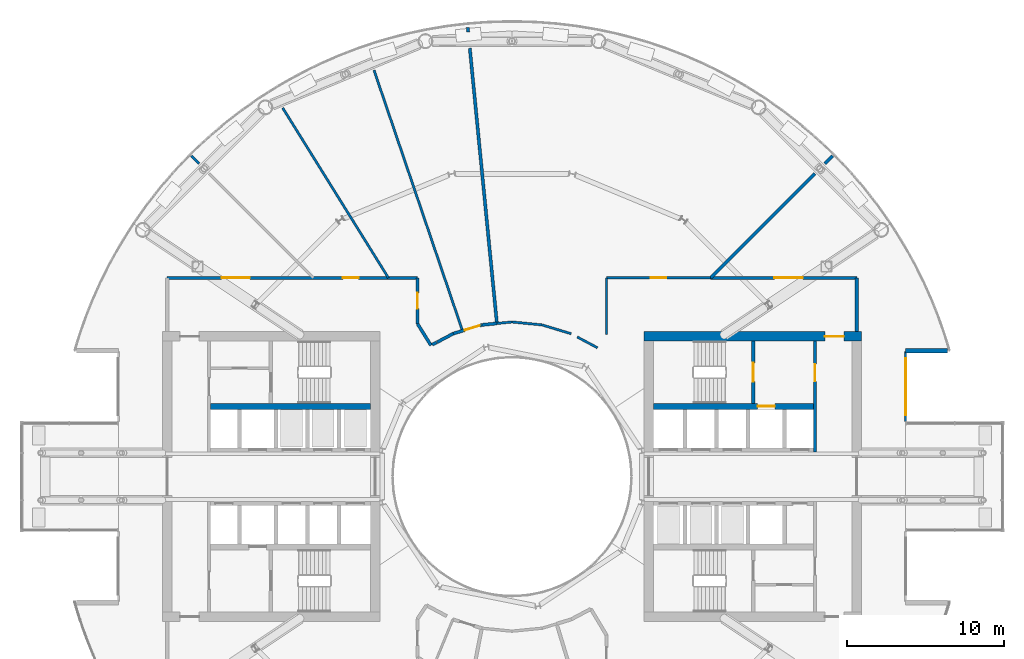
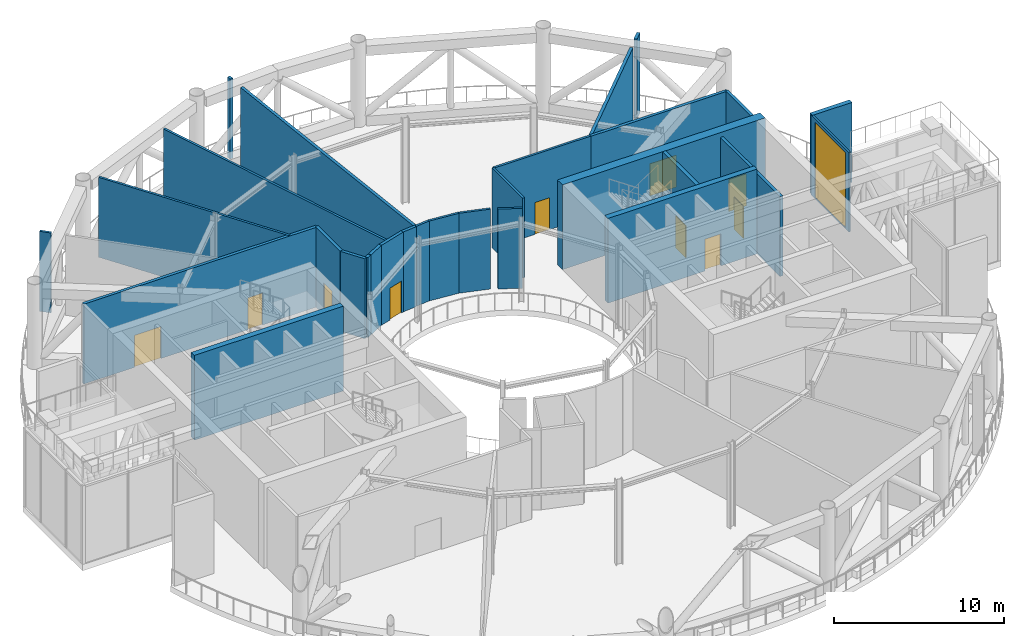
# One storey, part 15 of 25: 29 walls, 10 doors, 1 window, 11 openings.
"""IFC4 building model written with IfcOpenShell, lengths in metres."""

from ifc_helpers import new_model, si_unit, direction, frame, frame_2d, origin, place, context, subcontext, project, spatial, rectangle, extrude, material, layer, layer_set, type_object, element, fill, save


model = new_model("IFC4")

# Units and contexts
model_context = context("Model", 3, precision=1e-05, world=origin(), true_north=direction((0.0, 1.0)))
body_context = subcontext(model_context, "Body", "Model", "MODEL_VIEW")
ifc_project = project(units=[si_unit("LENGTHUNIT", "METRE"), si_unit("AREAUNIT", "SQUARE_METRE"), si_unit("VOLUMEUNIT", "CUBIC_METRE"), si_unit("PLANEANGLEUNIT", "RADIAN"), si_unit("MASSUNIT", "GRAM", prefix="KILO")], contexts=[model_context])

# Site, building, storey
site_placement = place(None, origin())
site = spatial("IfcSite", under=ifc_project, at=site_placement, CompositionType="ELEMENT")
building_placement = place(site_placement, origin())
building = spatial("IfcBuilding", under=site, at=building_placement, Name="Maasbend Ring Residences", CompositionType="ELEMENT")
storey_placement = place(building_placement, frame((0.0, 0.0, 139.10009765625)))
storey = spatial("IfcBuildingStorey", under=building, at=storey_placement, Name="L40", CompositionType="ELEMENT", Elevation=139.10009765625)

# Wall, opening, door
ifc_material_1 = material(Name="Concrete C60/75", Category="concrete")
ifc_layer_1 = layer(ifc_material_1, 0.25)
ifc_layer_set_1 = layer_set([ifc_layer_1], Name="Concrete C60/75")
wall_type_1 = type_object("IfcWallType", Name="CORE WALL 250 C60/75", PredefinedType="SHEAR", material=ifc_layer_set_1)
wall_1_placement = place(storey_placement, frame((15.324951171875, 4.64990234375, 0.0), z_axis=(0.0, 0.0, 1.0), x_axis=(0.0, 1.0, 0.0)))
wall_1 = element("IfcWall", 1, at=wall_1_placement, inside=storey, type_object=wall_type_1, Name="L40 core E wall STEN", PredefinedType="SHEAR", context=body_context, shape_type="SweptSolid", body=[
    extrude(rectangle(XDim=3.9501953125, YDim=0.25, at=frame_2d((1.97509765625, 0.0))), origin(), (0.0, 0.0, 1.0), 6.099853515625),
])
opening_1_placement = place(wall_1_placement, frame((1.375, 0.0, 0.0)))
opening_1 = element("IfcOpeningElement", 2, at=opening_1_placement, cuts=wall_1, Name="Opening D-E4012", PredefinedType="OPENING", context=body_context, shape_type="SweptSolid", body=[
    extrude(rectangle(XDim=1.199951171875, YDim=2.300048828125, at=frame_2d((0.60009765625, 1.14990234375))), frame((0.0, 0.135009765625, 0.0), z_axis=(0.0, -1.0, 0.0), x_axis=(1.0, 0.0, 0.0)), (0.0, 0.0, 1.0), 0.27001953125),
])
ifc_material_2 = material(Name="Steel, powder coated", Category="steel")
door_type_1 = type_object("IfcDoorType", Name="STAIR DOOR 1200 X 2300 FD60", OperationType="NOTDEFINED", PredefinedType="DOOR", material=ifc_material_2)
door_1_placement = place(opening_1_placement, origin())
door_1 = element("IfcDoor", 3, at=door_1_placement, inside=storey, type_object=door_type_1, Name="Stair door ST-E L40", OperationType="SINGLE_SWING_LEFT", OverallHeight=2.300048828125, OverallWidth=1.199951171875, PredefinedType="DOOR", context=body_context, shape_type="SweptSolid", body=[
    extrude(rectangle(XDim=1.199951171875, YDim=2.300048828125, at=frame_2d((0.60009765625, 1.14990234375))), frame((0.0, 0.02490234375, 0.0), z_axis=(0.0, -1.0, 0.0), x_axis=(1.0, 0.0, 0.0)), (0.0, 0.0, 1.0), 0.050048828125),
])
fill(opening_1, door_1)

ifc_material_3 = material(Name="Concrete C60/75", Category="concrete")
ifc_layer_2 = layer(ifc_material_3, 0.375)
ifc_layer_set_2 = layer_set([ifc_layer_2], Name="Concrete C60/75")
wall_type_2 = type_object("IfcWallType", Name="CORE WALL 375 C60/75", PredefinedType="SHEAR", material=ifc_layer_set_2)
wall_2_placement = place(storey_placement, frame((9.0, 4.46240234375, 0.0), z_axis=(0.0, 0.0, 1.0), x_axis=(1.0, 0.0, 0.0)))
wall_2 = element("IfcWall", 4, at=wall_2_placement, inside=storey, type_object=wall_type_2, Name="L40 core E wall BN", PredefinedType="SHEAR", context=body_context, shape_type="SweptSolid", body=[
    extrude(rectangle(XDim=10.14990234375, YDim=0.375, at=frame_2d((5.074951171875, 0.0))), origin(), (0.0, 0.0, 1.0), 6.099853515625),
])
opening_2_placement = place(wall_2_placement, frame((6.60009765625, 0.0, 0.0)))
opening_2 = element("IfcOpeningElement", 5, at=opening_2_placement, cuts=wall_2, Name="Opening LD-E4004", PredefinedType="OPENING", context=body_context, shape_type="SweptSolid", body=[
    extrude(rectangle(XDim=1.10009765625, YDim=2.300048828125, at=frame_2d((0.550048828125, 1.14990234375))), frame((0.0, 0.197509765625, 0.0), z_axis=(0.0, -1.0, 0.0), x_axis=(1.0, 0.0, 0.0)), (0.0, 0.0, 1.0), 0.39501953125),
])
ifc_material_4 = material(Name="Stainless steel 316", Category="steel")
door_type_2 = type_object("IfcDoorType", Name="LANDING DOOR 1100 X 2300 FD60", OperationType="DOUBLE_DOOR_SLIDING", PredefinedType="DOOR", material=ifc_material_4)
door_2_placement = place(opening_2_placement, origin())
door_2 = element("IfcDoor", 6, at=door_2_placement, inside=storey, type_object=door_type_2, Name="Landing door FF-E L40", OperationType="DOUBLE_DOOR_SLIDING", OverallHeight=2.300048828125, OverallWidth=1.10009765625, PredefinedType="DOOR", context=body_context, shape_type="SweptSolid", body=[
    extrude(rectangle(XDim=1.10009765625, YDim=2.300048828125, at=frame_2d((0.550048828125, 1.14990234375))), frame((0.0, 0.02490234375, 0.0), z_axis=(0.0, -1.0, 0.0), x_axis=(1.0, 0.0, 0.0)), (0.0, 0.0, 1.0), 0.050048828125),
])
fill(opening_2, door_2)

# Wall
wall_3_placement = place(storey_placement, frame((-9.0, 4.46240234375, 0.0), z_axis=(0.0, 0.0, 1.0), x_axis=(-1.0, 0.0, 0.0)))
element("IfcWall", 7, at=wall_3_placement, inside=storey, type_object=wall_type_2, Name="L40 core W wall BS", PredefinedType="SHEAR", context=body_context, shape_type="SweptSolid", body=[
    extrude(rectangle(XDim=10.14990234375, YDim=0.375, at=frame_2d((5.074951171875, 0.0))), origin(), (0.0, 0.0, 1.0), 6.099853515625),
])

# Wall, opening, door
ifc_material_5 = material(Name="Concrete C60/75", Category="concrete")
ifc_layer_3 = layer(ifc_material_5, 0.60009765625)
ifc_layer_set_3 = layer_set([ifc_layer_3], Name="Concrete C60/75")
wall_type_3 = type_object("IfcWallType", Name="CORE WALL 600 C60/75", PredefinedType="SHEAR", material=ifc_layer_set_3)
wall_4_placement = place(storey_placement, frame((22.199951171875, 8.89990234375, 0.0), z_axis=(0.0, 0.0, 1.0), x_axis=(-1.0, 0.0, 0.0)))
wall_4 = element("IfcWall", 8, at=wall_4_placement, inside=storey, type_object=wall_type_3, Name="L40 core E wall PN", PredefinedType="SHEAR", context=body_context, shape_type="SweptSolid", body=[
    extrude(rectangle(XDim=13.800048828125, YDim=0.60009765625, at=frame_2d((6.89990234375, 0.0))), origin(), (0.0, 0.0, 1.0), 6.099853515625),
])
opening_3_placement = place(wall_4_placement, frame((1.125, 0.0, 0.0)))
opening_3 = element("IfcOpeningElement", 9, at=opening_3_placement, cuts=wall_4, Name="Opening D-E4016", PredefinedType="OPENING", context=body_context, shape_type="SweptSolid", body=[
    extrude(rectangle(XDim=1.199951171875, YDim=2.300048828125, at=frame_2d((0.60009765625, 1.14990234375))), frame((0.0, 0.31005859375, 0.0), z_axis=(0.0, -1.0, 0.0), x_axis=(1.0, 0.0, 0.0)), (0.0, 0.0, 1.0), 0.6201171875),
])
ifc_material_6 = material(Name="Steel, powder coated", Category="steel")
door_type_3 = type_object("IfcDoorType", Name="CORRIDOR DOOR 1200 X 2300 FD30S", OperationType="NOTDEFINED", PredefinedType="DOOR", material=ifc_material_6)
door_3_placement = place(opening_3_placement, origin())
door_3 = element("IfcDoor", 10, at=door_3_placement, inside=storey, type_object=door_type_3, Name="Corridor door L40", OperationType="SINGLE_SWING_RIGHT", OverallHeight=2.300048828125, OverallWidth=1.199951171875, PredefinedType="DOOR", context=body_context, shape_type="SweptSolid", body=[
    extrude(rectangle(XDim=1.199951171875, YDim=2.300048828125, at=frame_2d((0.60009765625, 1.14990234375))), frame((0.0, 0.02490234375, 0.0), z_axis=(0.0, -1.0, 0.0), x_axis=(1.0, 0.0, 0.0)), (0.0, 0.0, 1.0), 0.050048828125),
])
fill(opening_3, door_3)

# Walls
ifc_material_7 = material(Name="Concrete C30/37", Category="concrete")
ifc_layer_4 = layer(ifc_material_7, 0.199951171875)
ifc_layer_set_4 = layer_set([ifc_layer_4], Name="Concrete C30/37")
wall_type_4 = type_object("IfcWallType", Name="CORRIDOR WALL 200 CONCRETE", PredefinedType="PARTITIONING", material=ifc_layer_set_4)
wall_5_placement = place(storey_placement, frame((21.89990234375, 9.219970703125, 0.0), z_axis=(0.0, 0.0, 1.0), x_axis=(0.0, 1.0, 0.0)))
element("IfcWall", 11, at=wall_5_placement, inside=storey, type_object=wall_type_4, Name="U-L40-w002", PredefinedType="PARTITIONING", context=body_context, shape_type="SweptSolid", body=[
    extrude(rectangle(XDim=3.400146484375, YDim=0.199951171875, at=frame_2d((1.7001953125, 0.0))), origin(), (0.0, 0.0, 1.0), 5.75),
])
wall_6_placement = place(storey_placement, frame((-2.81005859375, 28.52294921875, 0.0), z_axis=(0.0, 0.0, 1.0), x_axis=(0.099761386075, -0.995011389808, 0.0)))
element("IfcWall", 12, at=wall_6_placement, inside=storey, type_object=wall_type_4, Name="U-L40-w026", PredefinedType="PARTITIONING", context=body_context, shape_type="SweptSolid", body=[
    extrude(rectangle(XDim=0.281494140625, YDim=0.199951171875, at=frame_2d((0.140625, 0.0))), origin(), (0.0, 0.0, 1.0), 5.75),
])
wall_7_placement = place(storey_placement, frame((-2.679931640625, 27.2080078125, 0.0), z_axis=(0.0, 0.0, 1.0), x_axis=(0.098022984352, -0.995184151069, 0.0)))
element("IfcWall", 13, at=wall_7_placement, inside=storey, type_object=wall_type_4, Name="U-L40-w027", PredefinedType="PARTITIONING", context=body_context, shape_type="SweptSolid", body=[
    extrude(rectangle(XDim=17.566650390625, YDim=0.199951171875, at=frame_2d((8.783203125, 0.0))), origin(), (0.0, 0.0, 1.0), 5.75),
])
wall_8_placement = place(storey_placement, frame((12.6201171875, 12.6201171875, 0.0), z_axis=(0.0, 0.0, 1.0), x_axis=(0.707106781187, 0.707106781187, 0.0)))
element("IfcWall", 14, at=wall_8_placement, inside=storey, type_object=wall_type_4, Name="U-L40-w032", PredefinedType="PARTITIONING", context=body_context, shape_type="SweptSolid", body=[
    extrude(rectangle(XDim=9.360595703125, YDim=0.199951171875, at=frame_2d((4.68017578125, 0.0))), origin(), (0.0, 0.0, 1.0), 5.75),
])
wall_9_placement = place(storey_placement, frame((19.875, 19.875, 0.0), z_axis=(0.0, 0.0, 1.0), x_axis=(0.707106781187, 0.707106781187, 0.0)))
element("IfcWall", 15, at=wall_9_placement, inside=storey, type_object=wall_type_4, Name="U-L40-w034", PredefinedType="PARTITIONING", context=body_context, shape_type="SweptSolid", body=[
    extrude(rectangle(XDim=0.69287109375, YDim=0.199951171875, at=frame_2d((0.346435546875, 0.0))), origin(), (0.0, 0.0, 1.0), 5.75),
])
wall_10_placement = place(storey_placement, frame((-6.0, 9.702880859375, 0.0), z_axis=(0.0, 0.0, 1.0), x_axis=(0.527783933958, -0.849378666471, 0.0)))
element("IfcWall", 16, at=wall_10_placement, inside=storey, type_object=wall_type_4, Name="U-L40-w035", PredefinedType="PARTITIONING", context=body_context, shape_type="SweptSolid", body=[
    extrude(rectangle(XDim=1.6162109375, YDim=0.199951171875, at=frame_2d((0.80810546875, 0.0))), origin(), (0.0, 0.0, 1.0), 5.75),
])

# Wall, opening, door
wall_11_placement = place(storey_placement, frame((-6.0, 9.702880859375, 0.0), z_axis=(0.0, 0.0, 1.0), x_axis=(0.0, 1.0, 0.0)))
wall_11 = element("IfcWall", 17, at=wall_11_placement, inside=storey, type_object=wall_type_4, Name="U-L40-w038", PredefinedType="PARTITIONING", context=body_context, shape_type="SweptSolid", body=[
    extrude(rectangle(XDim=2.917236328125, YDim=0.199951171875, at=frame_2d((1.45849609375, 0.0))), origin(), (0.0, 0.0, 1.0), 5.75),
])
opening_4_placement = place(wall_11_placement, frame((0.958984375, 0.0, 0.0)))
opening_4 = element("IfcOpeningElement", 18, at=opening_4_placement, cuts=wall_11, Name="Opening D-4003", PredefinedType="OPENING", context=body_context, shape_type="SweptSolid", body=[
    extrude(rectangle(XDim=1.0, YDim=2.300048828125, at=frame_2d((0.5, 1.14990234375))), frame((0.0, 0.10986328125, 0.0), z_axis=(0.0, -1.0, 0.0), x_axis=(1.0, 0.0, 0.0)), (0.0, 0.0, 1.0), 0.219970703125),
])
ifc_material_8 = material(Name="Timber, painted", Category="wood")
door_type_4 = type_object("IfcDoorType", Name="ROOM DOOR 1000 X 2300", OperationType="NOTDEFINED", PredefinedType="DOOR", material=ifc_material_8)
door_4_placement = place(opening_4_placement, origin())
door_4 = element("IfcDoor", 19, at=door_4_placement, inside=storey, type_object=door_type_4, Name="D-4003", OperationType="SINGLE_SWING_RIGHT", OverallHeight=2.300048828125, OverallWidth=1.0, PredefinedType="DOOR", context=body_context, shape_type="SweptSolid", body=[
    extrude(rectangle(XDim=1.0, YDim=2.300048828125, at=frame_2d((0.5, 1.14990234375))), frame((0.0, 0.02490234375, 0.0), z_axis=(0.0, -1.0, 0.0), x_axis=(1.0, 0.0, 0.0)), (0.0, 0.0, 1.0), 0.050048828125),
])
fill(opening_4, door_4)

# Walls
wall_12_placement = place(storey_placement, frame((-5.06591796875, 8.373046875, 0.0), z_axis=(0.0, 0.0, 1.0), x_axis=(0.881628474014, 0.4719441003, 0.0)))
element("IfcWall", 20, at=wall_12_placement, inside=storey, type_object=wall_type_4, Name="U-L40-w039", PredefinedType="PARTITIONING", context=body_context, shape_type="SweptSolid", body=[
    extrude(rectangle(XDim=0.317626953125, YDim=0.199951171875, at=frame_2d((0.15869140625, 0.0))), origin(), (0.0, 0.0, 1.0), 5.75),
])
wall_13_placement = place(storey_placement, frame((-4.75390625, 8.5380859375, 0.0), z_axis=(0.0, 0.0, 1.0), x_axis=(0.883879648041, 0.467714408352, 0.0)))
element("IfcWall", 21, at=wall_13_placement, inside=storey, type_object=wall_type_4, Name="U-L40-w040", PredefinedType="PARTITIONING", context=body_context, shape_type="SweptSolid", body=[
    extrude(rectangle(XDim=1.1650390625, YDim=0.199951171875, at=frame_2d((0.58251953125, 0.0))), origin(), (0.0, 0.0, 1.0), 5.75),
])

# Wall, opening, door
wall_14_placement = place(storey_placement, frame((-3.758056640625, 9.072021484375, 0.0), z_axis=(0.0, 0.0, 1.0), x_axis=(0.956896312675, 0.29042976223, 0.0)))
wall_14 = element("IfcWall", 22, at=wall_14_placement, inside=storey, type_object=wall_type_4, Name="U-L40-w041", PredefinedType="PARTITIONING", context=body_context, shape_type="SweptSolid", body=[
    extrude(rectangle(XDim=1.925048828125, YDim=0.199951171875, at=frame_2d((0.96240234375, 0.0))), origin(), (0.0, 0.0, 1.0), 5.75),
])
opening_5_placement = place(wall_14_placement, frame((0.782958984375, 0.0, 0.0)))
opening_5 = element("IfcOpeningElement", 23, at=opening_5_placement, cuts=wall_14, Name="Opening D-4002", PredefinedType="OPENING", context=body_context, shape_type="SweptSolid", body=[
    extrude(rectangle(XDim=1.0, YDim=2.300048828125, at=frame_2d((0.5, 1.14990234375))), frame((0.0, 0.10986328125, 0.0), z_axis=(0.0, -1.0, 0.0), x_axis=(1.0, 0.0, 0.0)), (0.0, 0.0, 1.0), 0.219970703125),
])
door_5_placement = place(opening_5_placement, origin())
door_5 = element("IfcDoor", 24, at=door_5_placement, inside=storey, type_object=door_type_4, Name="D-4002", OperationType="SINGLE_SWING_RIGHT", OverallHeight=2.300048828125, OverallWidth=1.0, PredefinedType="DOOR", context=body_context, shape_type="SweptSolid", body=[
    extrude(rectangle(XDim=1.0, YDim=2.300048828125, at=frame_2d((0.5, 1.14990234375))), frame((0.0, 0.02490234375, 0.0), z_axis=(0.0, -1.0, 0.0), x_axis=(1.0, 0.0, 0.0)), (0.0, 0.0, 1.0), 0.050048828125),
])
fill(opening_5, door_5)

# Wall
wall_15_placement = place(storey_placement, frame((-1.916015625, 9.631103515625, 0.0), z_axis=(0.0, 0.0, 1.0), x_axis=(0.995122193927, 0.098649983037, 0.0)))
element("IfcWall", 25, at=wall_15_placement, inside=storey, type_object=wall_type_4, Name="U-L40-w042", PredefinedType="PARTITIONING", context=body_context, shape_type="SweptSolid", body=[
    extrude(rectangle(XDim=0.962646484375, YDim=0.199951171875, at=frame_2d((0.4814453125, 0.0))), origin(), (0.0, 0.0, 1.0), 5.75),
])

# Wall, openings, doors
wall_16_placement = place(storey_placement, frame((-21.89990234375, 12.6201171875, 0.0), z_axis=(0.0, 0.0, 1.0), x_axis=(1.0, 0.0, 0.0)))
wall_16 = element("IfcWall", 26, at=wall_16_placement, inside=storey, type_object=wall_type_4, Name="U-L40-w047", PredefinedType="PARTITIONING", context=body_context, shape_type="SweptSolid", body=[
    extrude(rectangle(XDim=15.89990234375, YDim=0.199951171875, at=frame_2d((7.949951171875, 0.0))), origin(), (0.0, 0.0, 1.0), 5.75),
])
opening_6_placement = place(wall_16_placement, frame((11.1650390625, 0.0, 0.0)))
opening_6 = element("IfcOpeningElement", 27, at=opening_6_placement, cuts=wall_16, Name="Opening D-4004", PredefinedType="OPENING", context=body_context, shape_type="SweptSolid", body=[
    extrude(rectangle(XDim=1.0, YDim=2.300048828125, at=frame_2d((0.5, 1.14990234375))), frame((0.0, 0.10986328125, 0.0), z_axis=(0.0, -1.0, 0.0), x_axis=(1.0, 0.0, 0.0)), (0.0, 0.0, 1.0), 0.219970703125),
])
opening_7_placement = place(wall_16_placement, frame((3.449951171875, 0.0, 0.0)))
opening_7 = element("IfcOpeningElement", 28, at=opening_7_placement, cuts=wall_16, Name="Opening D-4011", PredefinedType="OPENING", context=body_context, shape_type="SweptSolid", body=[
    extrude(rectangle(XDim=1.800048828125, YDim=2.300048828125, at=frame_2d((0.89990234375, 1.14990234375))), frame((0.0, 0.10986328125, 0.0), z_axis=(0.0, -1.0, 0.0), x_axis=(1.0, 0.0, 0.0)), (0.0, 0.0, 1.0), 0.219970703125),
])
ifc_material_9 = material(Name="Timber, painted", Category="wood")
door_type_5 = type_object("IfcDoorType", Name="DOUBLE DOOR 1800 X 2300", OperationType="NOTDEFINED", PredefinedType="DOOR", material=ifc_material_9)
door_6_placement = place(opening_7_placement, origin())
door_6 = element("IfcDoor", 29, at=door_6_placement, inside=storey, type_object=door_type_5, Name="D-4011", OperationType="DOUBLE_DOOR_SINGLE_SWING", OverallHeight=2.300048828125, OverallWidth=1.800048828125, PredefinedType="DOOR", context=body_context, shape_type="SweptSolid", body=[
    extrude(rectangle(XDim=1.800048828125, YDim=2.300048828125, at=frame_2d((0.89990234375, 1.14990234375))), frame((0.0, 0.02490234375, 0.0), z_axis=(0.0, -1.0, 0.0), x_axis=(1.0, 0.0, 0.0)), (0.0, 0.0, 1.0), 0.050048828125),
])
fill(opening_7, door_6)
door_7_placement = place(opening_6_placement, origin())
door_7 = element("IfcDoor", 30, at=door_7_placement, inside=storey, type_object=door_type_4, Name="D-4004", OperationType="SINGLE_SWING_RIGHT", OverallHeight=2.300048828125, OverallWidth=1.0, PredefinedType="DOOR", context=body_context, shape_type="SweptSolid", body=[
    extrude(rectangle(XDim=1.0, YDim=2.300048828125, at=frame_2d((0.5, 1.14990234375))), frame((0.0, 0.02490234375, 0.0), z_axis=(0.0, -1.0, 0.0), x_axis=(1.0, 0.0, 0.0)), (0.0, 0.0, 1.0), 0.050048828125),
])
fill(opening_6, door_7)

# Wall, opening, door
wall_17_placement = place(storey_placement, frame((12.6201171875, 12.6201171875, 0.0), z_axis=(0.0, 0.0, 1.0), x_axis=(1.0, 0.0, 0.0)))
wall_17 = element("IfcWall", 31, at=wall_17_placement, inside=storey, type_object=wall_type_4, Name="U-L40-w049", PredefinedType="PARTITIONING", context=body_context, shape_type="SweptSolid", body=[
    extrude(rectangle(XDim=9.27978515625, YDim=0.199951171875, at=frame_2d((4.639892578125, 0.0))), origin(), (0.0, 0.0, 1.0), 5.75),
])
opening_8_placement = place(wall_17_placement, frame((4.050048828125, 0.0, 0.0)))
opening_8 = element("IfcOpeningElement", 32, at=opening_8_placement, cuts=wall_17, Name="Opening D-4010", PredefinedType="OPENING", context=body_context, shape_type="SweptSolid", body=[
    extrude(rectangle(XDim=1.800048828125, YDim=2.300048828125, at=frame_2d((0.89990234375, 1.14990234375))), frame((0.0, 0.10986328125, 0.0), z_axis=(0.0, -1.0, 0.0), x_axis=(1.0, 0.0, 0.0)), (0.0, 0.0, 1.0), 0.219970703125),
])
door_8_placement = place(opening_8_placement, origin())
door_8 = element("IfcDoor", 33, at=door_8_placement, inside=storey, type_object=door_type_5, Name="D-4010", OperationType="DOUBLE_DOOR_SINGLE_SWING", OverallHeight=2.300048828125, OverallWidth=1.800048828125, PredefinedType="DOOR", context=body_context, shape_type="SweptSolid", body=[
    extrude(rectangle(XDim=1.800048828125, YDim=2.300048828125, at=frame_2d((0.89990234375, 1.14990234375))), frame((0.0, 0.02490234375, 0.0), z_axis=(0.0, -1.0, 0.0), x_axis=(1.0, 0.0, 0.0)), (0.0, 0.0, 1.0), 0.050048828125),
])
fill(opening_8, door_8)

# Wall
ifc_material_10 = material(Name="Aluminium clad insulated panel", Category="aluminium")
ifc_layer_5 = layer(ifc_material_10, 0.300048828125)
ifc_layer_set_5 = layer_set([ifc_layer_5], Name="EW-RET")
wall_type_5 = type_object("IfcWallType", Name="EW-RET", PredefinedType="SOLIDWALL", material=ifc_layer_set_5)
wall_18_placement = place(storey_placement, frame((25.0, 8.0, 0.0), z_axis=(0.0, 0.0, 1.0), x_axis=(1.0, 0.0, 0.0)))
element("IfcWall", 34, at=wall_18_placement, inside=storey, type_object=wall_type_5, Name="Notch return wall east north", PredefinedType="SOLIDWALL", context=body_context, shape_type="SweptSolid", body=[
    extrude(rectangle(XDim=2.6669921875, YDim=0.300048828125, at=frame_2d((1.33349609375, 0.0))), origin(), (0.0, 0.0, 1.0), 5.75),
])

# Wall, opening, window
ifc_material_11 = material(Name="Aluminium frame and clear glass", Category="aluminium")
ifc_layer_6 = layer(ifc_material_11, 0.1201171875)
ifc_layer_set_6 = layer_set([ifc_layer_6], Name="GLAZED SCREEN WALL 120 EI 60")
wall_type_6 = type_object("IfcWallType", Name="GLAZED SCREEN WALL 120 EI 60", PredefinedType="PARTITIONING", material=ifc_layer_set_6)
wall_19_placement = place(storey_placement, frame((25.0, 3.5, 0.0), z_axis=(0.0, 0.0, 1.0), x_axis=(0.0, 1.0, 0.0)))
wall_19 = element("IfcWall", 35, at=wall_19_placement, inside=storey, type_object=wall_type_6, Name="L40 core E wall FACEB", PredefinedType="PARTITIONING", context=body_context, shape_type="SweptSolid", body=[
    extrude(rectangle(XDim=4.449951171875, YDim=0.1201171875, at=frame_2d((2.22509765625, 0.0))), origin(), (0.0, 0.0, 1.0), 5.75),
])
opening_9_placement = place(wall_19_placement, frame((0.39990234375, 0.0, 0.10009765625)))
opening_9 = element("IfcOpeningElement", 36, at=opening_9_placement, cuts=wall_19, Name="Opening W-E4003", PredefinedType="OPENING", context=body_context, shape_type="SweptSolid", body=[
    extrude(rectangle(XDim=3.60009765625, YDim=5.39990234375, at=frame_2d((1.800048828125, 2.699951171875))), frame((0.0, 0.070068359375, 0.0), z_axis=(0.0, -1.0, 0.0), x_axis=(1.0, 0.0, 0.0)), (0.0, 0.0, 1.0), 0.14013671875),
])
ifc_material_12 = material(Name="Aluminium frame and clear glass", Category="aluminium")
window_type = type_object("IfcWindowType", Name="FIXED WINDOW 3600 X 5400", PartitioningType="SINGLE_PANEL", PredefinedType="WINDOW", material=ifc_material_12)
window_placement = place(opening_9_placement, origin())
window = element("IfcWindow", 37, at=window_placement, inside=storey, type_object=window_type, Name="Lobby window L40", OverallHeight=5.39990234375, OverallWidth=3.60009765625, PartitioningType="SINGLE_PANEL", PredefinedType="WINDOW", context=body_context, shape_type="SweptSolid", body=[
    extrude(rectangle(XDim=3.60009765625, YDim=5.39990234375, at=frame_2d((1.800048828125, 2.699951171875))), frame((0.0, 0.030029296875, 0.0), z_axis=(0.0, -1.0, 0.0), x_axis=(1.0, 0.0, 0.0)), (0.0, 0.0, 1.0), 0.06005859375),
])
fill(opening_9, window)

# Walls
ifc_material_13 = material(Name="Gypsum board on steel studs", Category="steel")
ifc_layer_7 = layer(ifc_material_13, 0.14990234375)
ifc_layer_set_7 = layer_set([ifc_layer_7], Name="PARTITION 150 GYPSUM")
wall_type_7 = type_object("IfcWallType", Name="PARTITION 150 GYPSUM", PredefinedType="PARTITIONING", material=ifc_layer_set_7)
wall_20_placement = place(storey_placement, frame((6.0, 9.033935546875, 0.0), z_axis=(0.0, 0.0, 1.0), x_axis=(0.0, 1.0, 0.0)))
element("IfcWall", 38, at=wall_20_placement, inside=storey, type_object=wall_type_7, Name="U-L40-w016", PredefinedType="PARTITIONING", context=body_context, shape_type="SweptSolid", body=[
    extrude(rectangle(XDim=3.586181640625, YDim=0.14990234375, at=frame_2d((1.79296875, 0.0))), origin(), (0.0, 0.0, 1.0), 5.75),
])
wall_21_placement = place(storey_placement, frame((-20.364990234375, 20.364990234375, 0.0), z_axis=(0.0, 0.0, 1.0), x_axis=(0.707106781187, -0.707106781187, 0.0)))
element("IfcWall", 39, at=wall_21_placement, inside=storey, type_object=wall_type_7, Name="U-L40-w019", PredefinedType="PARTITIONING", context=body_context, shape_type="SweptSolid", body=[
    extrude(rectangle(XDim=0.69287109375, YDim=0.14990234375, at=frame_2d((0.346435546875, 0.0))), origin(), (0.0, 0.0, 1.0), 5.75),
])
wall_22_placement = place(storey_placement, frame((-14.56591796875, 23.4169921875, 0.0), z_axis=(0.0, 0.0, 1.0), x_axis=(0.528175151635, -0.849135448085, 0.0)))
element("IfcWall", 40, at=wall_22_placement, inside=storey, type_object=wall_type_7, Name="U-L40-w022", PredefinedType="PARTITIONING", context=body_context, shape_type="SweptSolid", body=[
    extrude(rectangle(XDim=12.715087890625, YDim=0.14990234375, at=frame_2d((6.357421875, 0.0))), origin(), (0.0, 0.0, 1.0), 5.75),
])
wall_23_placement = place(storey_placement, frame((-8.76708984375, 25.819091796875, 0.0), z_axis=(0.0, 0.0, 1.0), x_axis=(0.321524803789, -0.946901156694, 0.0)))
element("IfcWall", 41, at=wall_23_placement, inside=storey, type_object=wall_type_7, Name="U-L40-w024", PredefinedType="PARTITIONING", context=body_context, shape_type="SweptSolid", body=[
    extrude(rectangle(XDim=17.48876953125, YDim=0.14990234375, at=frame_2d((8.744384765625, 0.0))), origin(), (0.0, 0.0, 1.0), 5.75),
])
wall_24_placement = place(storey_placement, frame((-0.962890625, 9.72509765625, 0.0), z_axis=(0.0, 0.0, 1.0), x_axis=(0.995171182304, 0.098154561338, 0.0)))
element("IfcWall", 42, at=wall_24_placement, inside=storey, type_object=wall_type_7, Name="U-L40-w043", PredefinedType="PARTITIONING", context=body_context, shape_type="SweptSolid", body=[
    extrude(rectangle(XDim=0.967529296875, YDim=0.14990234375, at=frame_2d((0.48388671875, 0.0))), origin(), (0.0, 0.0, 1.0), 5.75),
])
wall_25_placement = place(storey_placement, frame((0.0, 9.820068359375, 0.0), z_axis=(0.0, 0.0, 1.0), x_axis=(0.995171860647, -0.098147683504, 0.0)))
element("IfcWall", 43, at=wall_25_placement, inside=storey, type_object=wall_type_7, Name="U-L40-w044", PredefinedType="PARTITIONING", context=body_context, shape_type="SweptSolid", body=[
    extrude(rectangle(XDim=1.92529296875, YDim=0.14990234375, at=frame_2d((0.962646484375, 0.0))), origin(), (0.0, 0.0, 1.0), 5.75),
])
wall_26_placement = place(storey_placement, frame((1.916015625, 9.631103515625, 0.0), z_axis=(0.0, 0.0, 1.0), x_axis=(0.956896312675, -0.29042976223, 0.0)))
element("IfcWall", 44, at=wall_26_placement, inside=storey, type_object=wall_type_7, Name="U-L40-w045", PredefinedType="PARTITIONING", context=body_context, shape_type="SweptSolid", body=[
    extrude(rectangle(XDim=1.925048828125, YDim=0.14990234375, at=frame_2d((0.96240234375, 0.0))), origin(), (0.0, 0.0, 1.0), 5.75),
])
wall_27_placement = place(storey_placement, frame((4.14794921875, 8.864013671875, 0.0), z_axis=(0.0, 0.0, 1.0), x_axis=(0.881822025569, -0.471582352534, 0.0)))
element("IfcWall", 45, at=wall_27_placement, inside=storey, type_object=wall_type_7, Name="U-L40-w046", PredefinedType="PARTITIONING", context=body_context, shape_type="SweptSolid", body=[
    extrude(rectangle(XDim=1.45263671875, YDim=0.14990234375, at=frame_2d((0.726318359375, 0.0))), origin(), (0.0, 0.0, 1.0), 5.75),
])

# Wall, opening, door
wall_28_placement = place(storey_placement, frame((6.0, 12.6201171875, 0.0), z_axis=(0.0, 0.0, 1.0), x_axis=(1.0, 0.0, 0.0)))
wall_28 = element("IfcWall", 46, at=wall_28_placement, inside=storey, type_object=wall_type_7, Name="U-L40-w048", PredefinedType="PARTITIONING", context=body_context, shape_type="SweptSolid", body=[
    extrude(rectangle(XDim=6.6201171875, YDim=0.14990234375, at=frame_2d((3.31005859375, 0.0))), origin(), (0.0, 0.0, 1.0), 5.75),
])
opening_10_placement = place(wall_28_placement, frame((2.81005859375, 0.0, 0.0)))
opening_10 = element("IfcOpeningElement", 47, at=opening_10_placement, cuts=wall_28, Name="Opening D-4001", PredefinedType="OPENING", context=body_context, shape_type="SweptSolid", body=[
    extrude(rectangle(XDim=1.0, YDim=2.300048828125, at=frame_2d((0.5, 1.14990234375))), frame((0.0, 0.0849609375, 0.0), z_axis=(0.0, -1.0, 0.0), x_axis=(1.0, 0.0, 0.0)), (0.0, 0.0, 1.0), 0.169921875),
])
door_9_placement = place(opening_10_placement, origin())
door_9 = element("IfcDoor", 48, at=door_9_placement, inside=storey, type_object=door_type_4, Name="D-4001", OperationType="SINGLE_SWING_LEFT", OverallHeight=2.300048828125, OverallWidth=1.0, PredefinedType="DOOR", context=body_context, shape_type="SweptSolid", body=[
    extrude(rectangle(XDim=1.0, YDim=2.300048828125, at=frame_2d((0.5, 1.14990234375))), frame((0.0, 0.02490234375, 0.0), z_axis=(0.0, -1.0, 0.0), x_axis=(1.0, 0.0, 0.0)), (0.0, 0.0, 1.0), 0.050048828125),
])
fill(opening_10, door_9)

ifc_material_14 = material(Name="Concrete C30/37", Category="concrete")
ifc_layer_8 = layer(ifc_material_14, 0.199951171875)
ifc_layer_set_8 = layer_set([ifc_layer_8], Name="Concrete C30/37")
wall_type_8 = type_object("IfcWallType", Name="SHAFT WALL 200 EI 120", PredefinedType="SOLIDWALL", material=ifc_layer_set_8)
wall_29_placement = place(storey_placement, frame((19.25, 1.574951171875, 0.0), z_axis=(0.0, 0.0, 1.0), x_axis=(0.0, 1.0, 0.0)))
wall_29 = element("IfcWall", 49, at=wall_29_placement, inside=storey, type_object=wall_type_8, Name="L40 core E wall ENDN", PredefinedType="SOLIDWALL", context=body_context, shape_type="SweptSolid", body=[
    extrude(rectangle(XDim=7.025146484375, YDim=0.199951171875, at=frame_2d((3.5126953125, 0.0))), origin(), (0.0, 0.0, 1.0), 5.75),
])
opening_11_placement = place(wall_29_placement, frame((4.47509765625, 0.0, 0.0)))
opening_11 = element("IfcOpeningElement", 50, at=opening_11_placement, cuts=wall_29, Name="Opening D-E4014", PredefinedType="OPENING", context=body_context, shape_type="SweptSolid", body=[
    extrude(rectangle(XDim=1.10009765625, YDim=2.300048828125, at=frame_2d((0.550048828125, 1.14990234375))), frame((0.0, 0.10986328125, 0.0), z_axis=(0.0, -1.0, 0.0), x_axis=(1.0, 0.0, 0.0)), (0.0, 0.0, 1.0), 0.219970703125),
])
ifc_material_15 = material(Name="Steel, powder coated", Category="steel")
door_type_6 = type_object("IfcDoorType", Name="LOBBY DOOR 1100 X 2300 FD60", OperationType="NOTDEFINED", PredefinedType="DOOR", material=ifc_material_15)
door_10_placement = place(opening_11_placement, origin())
door_10 = element("IfcDoor", 51, at=door_10_placement, inside=storey, type_object=door_type_6, Name="Lobby door L40", OperationType="SINGLE_SWING_LEFT", OverallHeight=2.300048828125, OverallWidth=1.10009765625, PredefinedType="DOOR", context=body_context, shape_type="SweptSolid", body=[
    extrude(rectangle(XDim=1.10009765625, YDim=2.300048828125, at=frame_2d((0.550048828125, 1.14990234375))), frame((0.0, 0.02490234375, 0.0), z_axis=(0.0, -1.0, 0.0), x_axis=(1.0, 0.0, 0.0)), (0.0, 0.0, 1.0), 0.050048828125),
])
fill(opening_11, door_10)

save(model, "model.ifc")
